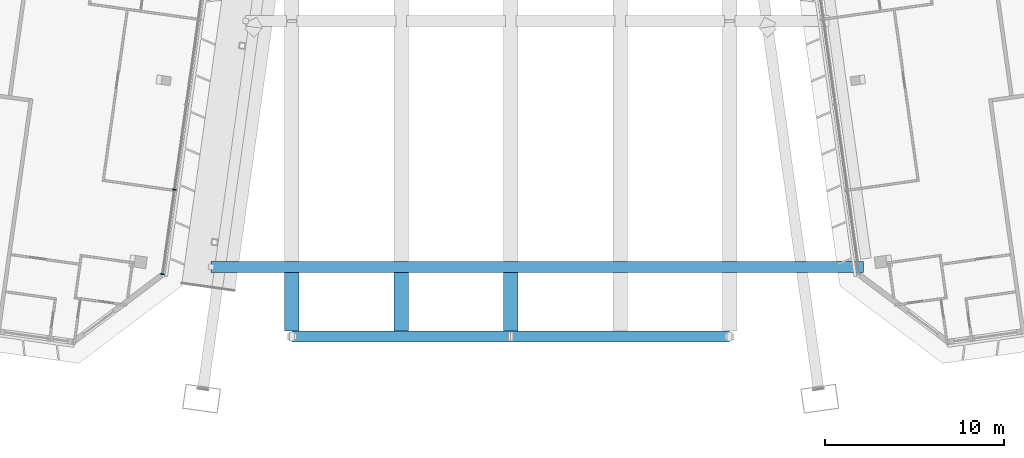
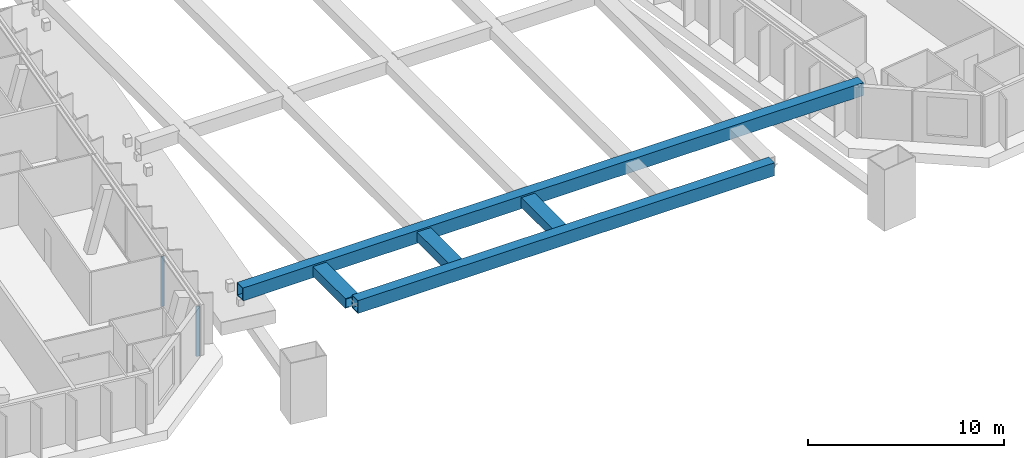
# One storey, part 5 of 36: 7 members, 1 element without a shape of its own.
"""IFC4 building model written with IfcOpenShell, lengths in metres."""

from ifc_helpers import new_model, si_unit, direction, frame, origin, origin_2d, place, context, subcontext, project, spatial, rectangle, hollow_rectangle, extrude, material, material_profile, profile_set, type_object, element, aggregate, save


model = new_model("IFC4")

# Units and contexts
model_context = context("Model", 3, precision=1e-05, world=origin(), true_north=direction((0.0, 1.0)))
body_context = subcontext(model_context, "Body", "Model", "MODEL_VIEW")
ifc_project = project(units=[si_unit("LENGTHUNIT", "METRE"), si_unit("AREAUNIT", "SQUARE_METRE"), si_unit("VOLUMEUNIT", "CUBIC_METRE"), si_unit("PLANEANGLEUNIT", "RADIAN"), si_unit("MASSUNIT", "GRAM", prefix="KILO")], contexts=[model_context])

# Site, building, storey
site_placement = place(None, origin())
site = spatial("IfcSite", under=ifc_project, at=site_placement, CompositionType="ELEMENT")
building_placement = place(site_placement, origin())
building = spatial("IfcBuilding", under=site, at=building_placement, Name="Mirante Cascada Hotel Towers", CompositionType="ELEMENT")
storey_placement = place(building_placement, frame((0.0, 0.0, 254.6)))
storey = spatial("IfcBuildingStorey", under=building, at=storey_placement, Name="L61", CompositionType="ELEMENT", Elevation=254.6)

# Members
ifc_material_1 = material(Name="Steel ASTM A572 Gr 50", Category="steel")
ifc_material_profile_1 = material_profile(ifc_material_1, hollow_rectangle(XDim=0.6, YDim=0.8, WallThickness=0.04, at=origin_2d()), Name="Box chord 800x600x40 ASTM A572 Gr 50")
ifc_profile_set_1 = profile_set([ifc_material_profile_1], Name="Steel ASTM A572 Gr 50")
member_type_1 = type_object("IfcMemberType", Name="Box chord 800x600x40 ASTM A572 Gr 50", PredefinedType="CHORD", material=ifc_profile_set_1)
for number, where, z_axis, x_axis, name in (
    (1, (-12.2514, -21.2153, 2.9), (0.0, 1.0, 0.0), (0.0, 0.0, 1.0), "dchord sky park L62 1"),
    (2, (-6.1257, -21.2153, 2.9), (0.0, 1.0, 0.0), (0.0, 0.0, 1.0), "dchord sky park L62 5"),
    (3, (0.0, -21.2153, 2.9), (0.0, 1.0, 0.0), (0.0, 0.0, 1.0), "dchord sky park L62 9"),
):
    element("IfcMember", number, at=place(storey_placement, frame(where, z_axis=z_axis, x_axis=x_axis)), inside=storey, type_object=member_type_1, Name=name, PredefinedType="CHORD", context=body_context, shape_type="SweptSolid", body=[
        extrude(hollow_rectangle(XDim=0.6, YDim=0.8, WallThickness=0.04, at=origin_2d()), origin(), (0.0, 0.0, 1.0), 3.3),
    ])
member_1_placement = place(storey_placement, frame((-16.7647, -17.6153, 2.9), z_axis=(1.0, 0.0, 0.0), x_axis=(0.0, 1.0, 0.0)))
element("IfcMember", 4, at=member_1_placement, inside=storey, type_object=member_type_1, Name="dchord sky park L62 21", PredefinedType="CHORD", context=body_context, shape_type="SweptSolid", body=[
    extrude(hollow_rectangle(XDim=0.6, YDim=0.8, WallThickness=0.04, at=origin_2d()), origin(), (0.0, 0.0, 1.0), 36.5006),
])
member_2_placement = place(storey_placement, frame((-12.2514, -21.5153, 2.9), z_axis=(1.0, 0.0, 0.0), x_axis=(0.0, 1.0, 0.0)))
element("IfcMember", 5, at=member_2_placement, inside=storey, type_object=member_type_1, Name="dchord sky park L62 29", PredefinedType="CHORD", context=body_context, shape_type="SweptSolid", body=[
    extrude(hollow_rectangle(XDim=0.6, YDim=0.8, WallThickness=0.04, at=origin_2d()), origin(), (0.0, 0.0, 1.0), 24.5028),
])

# Curtain wall, members
ifc_material_2 = material(Name="Aluminium mullion and transom frame with clear laminated glass", Category="aluminium")
curtain_wall_type = type_object("IfcCurtainWallType", Name="End ribbon curtain wall ECW2", PredefinedType="NOTDEFINED", material=ifc_material_2)
curtain_wall_placement = place(storey_placement, origin())
curtain_wall = element("IfcCurtainWall", 6, at=curtain_wall_placement, inside=storey, type_object=curtain_wall_type, Name="Inner end wall T1 L61", PredefinedType="NOTDEFINED")
ifc_material_3 = material(Name="Anodised aluminium extrusion", Category="aluminium")
ifc_material_profile_2 = material_profile(ifc_material_3, rectangle(XDim=0.2, YDim=0.065, at=origin_2d()), Name="ECW2 MULLION 65x200")
ifc_profile_set_2 = profile_set([ifc_material_profile_2], Name="Anodised aluminium extrusion")
member_type_2 = type_object("IfcMemberType", Name="ECW2 mullion 65x200", PredefinedType="MULLION", material=ifc_profile_set_2)
member_3_placement = place(storey_placement, frame((-18.8247, -13.2904, 0.1), z_axis=(0.0, 0.0, 1.0), x_axis=(0.9902681, -0.1391731, 0.0)))
member_3 = element("IfcMember", 7, at=member_3_placement, type_object=member_type_2, Name="ECW2 mullion 6", PredefinedType="MULLION", context=body_context, shape_type="SweptSolid", body=[
    extrude(rectangle(XDim=0.2, YDim=0.065, at=origin_2d()), origin(), (0.0, 0.0, 1.0), 3.1),
])
member_4_placement = place(storey_placement, frame((-19.49, -18.024, 0.1), z_axis=(0.0, 0.0, 1.0), x_axis=(0.9902681, -0.1391731, 0.0)))
member_4 = element("IfcMember", 8, at=member_4_placement, type_object=member_type_2, Name="ECW2 mullion 7", PredefinedType="MULLION", context=body_context, shape_type="SweptSolid", body=[
    extrude(rectangle(XDim=0.2, YDim=0.065, at=origin_2d()), origin(), (0.0, 0.0, 1.0), 3.1),
])
aggregate(curtain_wall, [member_3, member_4])

save(model, "model.ifc")
